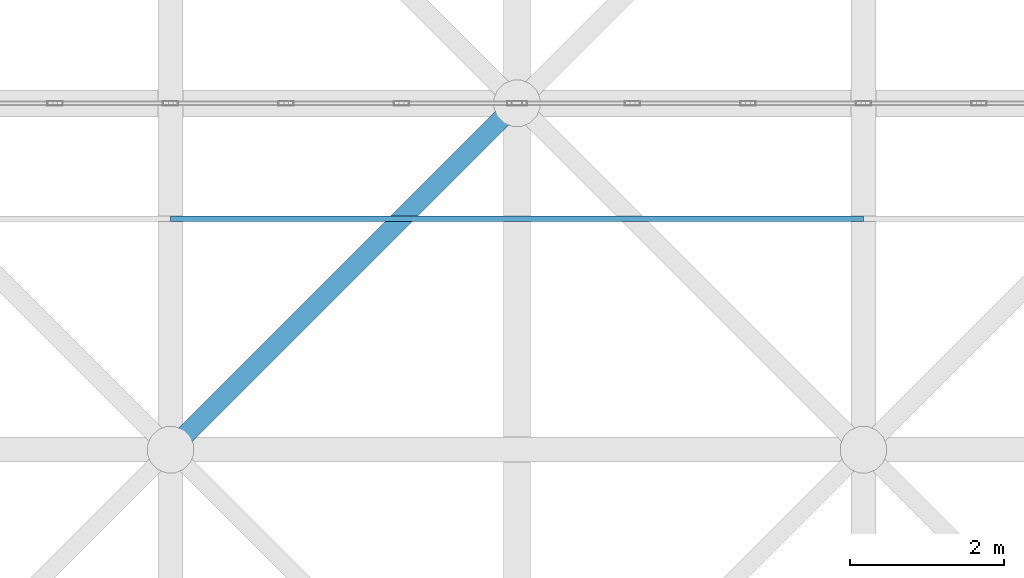
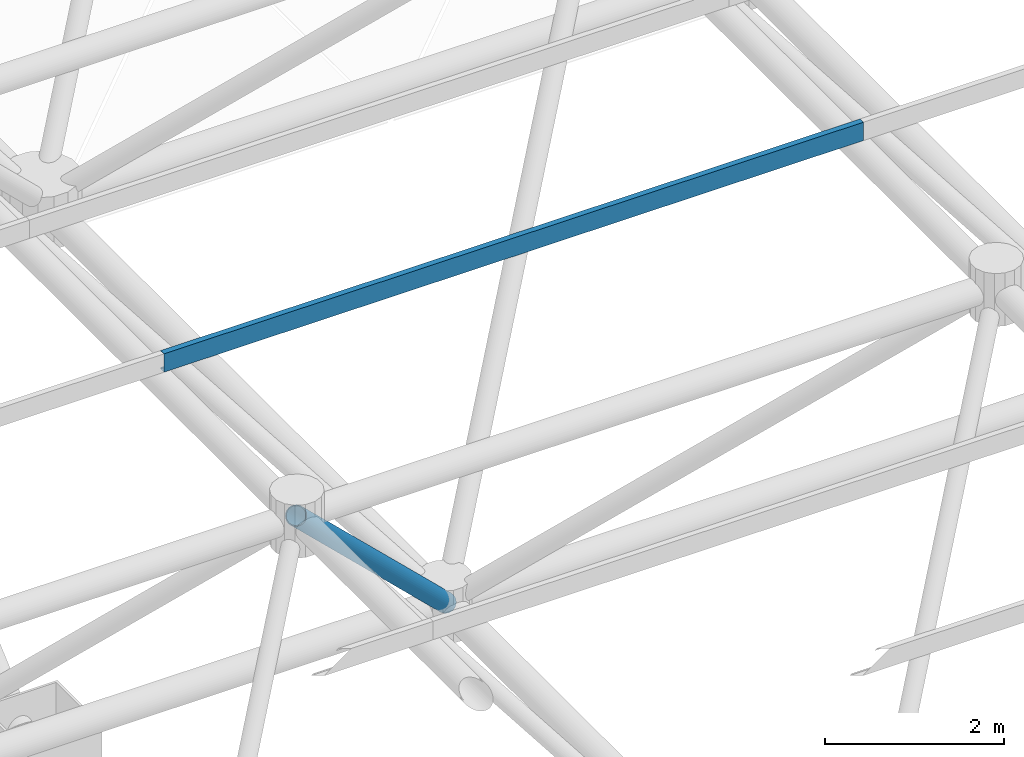
# One storey, part 177 of 437: 2 members.
"""IFC4 building model written with IfcOpenShell, lengths in metres."""

import ifcopenshell
import ifcopenshell.guid

model = None  # the IFC model being written
_history = None  # IfcOwnerHistory: only IFC2X3 demands one
_inside = {}  # id of a spatial element -> (the spatial element, [elements in it])
_under = {}  # id of a project, library or spatial element -> (it, [spatial elements below it])
_declared = {}  # id of a project -> (the project, [libraries it declares])
_typed = {}  # id of a type object -> (the type object, [elements of that type])
_made_of = {}  # id of a material, layer set ... -> (it, [elements and type objects made of it])


def new_model(schema):
    """Start an empty IFC model of exactly this schema.

    Asked for "IFC4X3", IfcOpenShell would pick the latest addendum, in which some entities
    have other attributes; the version numbers below select the first issue.
    IFC2X3 requires an IfcOwnerHistory on every rooted entity: one is made here for all.
    """
    global model, _history
    if schema == "IFC4X3":
        model = ifcopenshell.file(schema_version=(4, 3, 0, 0))
    else:
        model = ifcopenshell.file(schema=schema)
    _inside.clear()
    _under.clear()
    _declared.clear()
    _typed.clear()
    _made_of.clear()
    _history = None
    if model.schema == "IFC2X3":
        org = make("IfcOrganization", Name="unknown")
        user = make(
            "IfcPersonAndOrganization",
            ThePerson=make("IfcPerson", FamilyName="unknown"),
            TheOrganization=org,
        )
        app = make(
            "IfcApplication",
            ApplicationDeveloper=org,
            Version="unknown",
            ApplicationFullName="unknown",
            ApplicationIdentifier="unknown",
        )
        _history = make(
            "IfcOwnerHistory",
            OwningUser=user,
            OwningApplication=app,
            ChangeAction="ADDED",
            CreationDate=0,
        )
    return model


def make(cls, **values):
    """One entity of the class cls with the attributes given. An attribute that is None is left unset."""
    return model.create_entity(
        cls, **{name: value for name, value in values.items() if value is not None}
    )


def rooted(cls, **values):
    """An entity with a GlobalId (a new one), such as an element, a storey or a relation."""
    return make(cls, GlobalId=ifcopenshell.guid.new(), OwnerHistory=_history, **values)


def si_unit(unit_type, name, prefix=None):
    """IfcSIUnit, for example si_unit("LENGTHUNIT", "METRE", prefix="MILLI")."""
    return make("IfcSIUnit", UnitType=unit_type, Prefix=prefix, Name=name)


def assignment(units):
    """IfcUnitAssignment: the units of a project."""
    return None if units is None else make("IfcUnitAssignment", Units=units)


def point(xyz):
    """IfcCartesianPoint."""
    return None if xyz is None else make("IfcCartesianPoint", Coordinates=xyz)


def direction(xyz):
    """IfcDirection."""
    return None if xyz is None else make("IfcDirection", DirectionRatios=xyz)


def frame(location, z_axis=None, x_axis=None):
    """IfcAxis2Placement3D, a coordinate frame: its origin and axes. An axis left out is left unset."""
    return make(
        "IfcAxis2Placement3D",
        Location=point(location),
        Axis=direction(z_axis),
        RefDirection=direction(x_axis),
    )


def frame_2d(location, x_axis=None):
    """IfcAxis2Placement2D, a coordinate frame in the plane: its origin and x axis."""
    return make(
        "IfcAxis2Placement2D", Location=point(location), RefDirection=direction(x_axis)
    )


def origin():
    """The frame at (0, 0, 0) with its axes left unset."""
    return frame((0.0, 0.0, 0.0))


def origin_2d():
    """The frame at (0, 0) in the plane with its x axis left unset."""
    return frame_2d((0.0, 0.0))


def place(relative_to, where):
    """IfcLocalPlacement: puts the frame where relative to a parent placement (None: the world)."""
    return make(
        "IfcLocalPlacement", PlacementRelTo=relative_to, RelativePlacement=where
    )


def context(
    kind, dimensions, precision=None, world=None, true_north=None, identifier=None
):
    """IfcGeometricRepresentationContext, for example the 3D "Model" context."""
    return make(
        "IfcGeometricRepresentationContext",
        ContextIdentifier=identifier,
        ContextType=kind,
        CoordinateSpaceDimension=dimensions,
        Precision=precision,
        WorldCoordinateSystem=world,
        TrueNorth=true_north,
    )


def subcontext(parent, identifier, kind, view, scale=None):
    """IfcGeometricRepresentationSubContext, for example "Body" below "Model"."""
    return make(
        "IfcGeometricRepresentationSubContext",
        ContextIdentifier=identifier,
        ContextType=kind,
        ParentContext=parent,
        TargetScale=scale,
        TargetView=view,
    )


def project(units=None, contexts=None):
    """IfcProject with its units and contexts."""
    return rooted(
        "IfcProject",
        Name="project",
        RepresentationContexts=contexts,
        UnitsInContext=assignment(units),
    )


def spatial(cls, under=None, at=None, **own):
    """A site, building, storey or space (cls), placed at a placement, below another one or the project."""
    s = rooted(cls, ObjectPlacement=at, **own)
    if under is not None:
        _under.setdefault(under.id(), (under, []))[1].append(s)
    return s


def polyline(points):
    """IfcPolyline through the points."""
    return make("IfcPolyline", Points=[point(p) for p in points])


def profile(cls, at=None, kind="AREA", **sizes):
    """A parametric profile (cls). Its sizes go by their IFC names, for example OverallWidth=200.0."""
    return make(cls, ProfileType=kind, Position=at, **sizes)


def hollow_circle(**sizes):
    """IfcCircleHollowProfileDef."""
    return profile("IfcCircleHollowProfileDef", **sizes)


def outline(outer, holes=None, kind="AREA"):
    """IfcArbitraryClosedProfileDef: a profile drawn as a closed curve; with holes, ...WithVoids."""
    if holes is None:
        return make("IfcArbitraryClosedProfileDef", ProfileType=kind, OuterCurve=outer)
    return make(
        "IfcArbitraryProfileDefWithVoids",
        ProfileType=kind,
        OuterCurve=outer,
        InnerCurves=holes,
    )


def extrude(swept, where, along, depth):
    """IfcExtrudedAreaSolid: the profile swept, set in the frame where, extruded along a direction by depth."""
    return make(
        "IfcExtrudedAreaSolid",
        SweptArea=swept,
        Position=where,
        ExtrudedDirection=direction(along),
        Depth=depth,
    )


def shape(context_of_items, identifier, shape_type, items):
    """IfcShapeRepresentation: the items that make up one representation, for example the "Body"."""
    return make(
        "IfcShapeRepresentation",
        ContextOfItems=context_of_items,
        RepresentationIdentifier=identifier,
        RepresentationType=shape_type,
        Items=items,
    )


def material(Name=None, Category=None):
    """IfcMaterial."""
    return make("IfcMaterial", Name=Name, Category=Category)


def material_profile(
    of_material, cross_section, Name=None, Category=None, Priority=None
):
    """IfcMaterialProfile: a cross section and its material."""
    return make(
        "IfcMaterialProfile",
        Name=Name,
        Material=of_material,
        Profile=cross_section,
        Priority=Priority,
        Category=Category,
    )


def profile_set(profiles, Name=None, composite=None):
    """IfcMaterialProfileSet."""
    return make(
        "IfcMaterialProfileSet",
        Name=Name,
        MaterialProfiles=profiles,
        CompositeProfile=composite,
    )


def made_of(thing, what):
    """Note that an element or type object is made of a material, layer set ...; save() writes the relation."""
    if what is not None:
        _made_of.setdefault(what.id(), (what, []))[1].append(thing)
    return thing


def type_object(cls, material=None, **own):
    """A type object (cls), such as IfcWallType, which elements share."""
    return made_of(rooted(cls, **own), material)


def element(
    cls,
    number,
    at=None,
    inside=None,
    cuts=None,
    type_object=None,
    material=None,
    context=None,
    identifier="Body",
    shape_type=None,
    held_by="IfcProductDefinitionShape",
    body=None,
    shapes=None,
    **own,
):
    """One element of the class cls, such as IfcWall. Its Tag is "e" and its number.

    at: its placement. inside: the storey or other place that contains it. cuts: it is an
    opening in that element (IfcRelVoidsElement). A single representation is given by context,
    identifier, shape_type and body (its items); several are given by shapes. held_by: the class
    of the entity that holds the representations. save() writes the other relations.
    """
    e = rooted(cls, Tag="e%d" % number, ObjectPlacement=at, **own)
    if body is not None:
        shapes = [shape(context, identifier, shape_type, body)]
    if shapes is not None:
        e.Representation = make(held_by, Representations=shapes)
    if inside is not None:
        _inside.setdefault(inside.id(), (inside, []))[1].append(e)
    if cuts is not None:
        rooted(
            "IfcRelVoidsElement", RelatingBuildingElement=cuts, RelatedOpeningElement=e
        )
    if type_object is not None:
        _typed.setdefault(type_object.id(), (type_object, []))[1].append(e)
    return made_of(e, material)


def aggregate(whole, parts):
    """IfcRelAggregates: a whole, such as a stair, and the parts it consists of."""
    return rooted("IfcRelAggregates", RelatingObject=whole, RelatedObjects=parts)


def save(model, path):
    """Write the relations noted so far, then the file.

    IfcRelAggregates (storeys below a building ...), IfcRelContainedInSpatialStructure (elements
    in a storey), IfcRelDefinesByType, IfcRelAssociatesMaterial and IfcRelDeclares: one each for
    every whole, place, type object, material and project.
    """
    for whole, parts in _under.values():
        aggregate(whole, parts)
    for where, things in _inside.values():
        rooted(
            "IfcRelContainedInSpatialStructure",
            RelatedElements=things,
            RelatingStructure=where,
        )
    for kind, things in _typed.values():
        rooted("IfcRelDefinesByType", RelatedObjects=things, RelatingType=kind)
    for what, things in _made_of.values():
        rooted("IfcRelAssociatesMaterial", RelatedObjects=things, RelatingMaterial=what)
    for by, libraries in _declared.values():
        rooted("IfcRelDeclares", RelatingContext=by, RelatedDefinitions=libraries)
    model.write(path)


model = new_model("IFC4")

# Units and contexts
model_context = context("Model", 3, precision=1e-05, world=origin(), true_north=direction((0.0, 1.0)))
body_context = subcontext(model_context, "Body", "Model", "MODEL_VIEW")
ifc_project = project(units=[si_unit("LENGTHUNIT", "METRE"), si_unit("AREAUNIT", "SQUARE_METRE"), si_unit("VOLUMEUNIT", "CUBIC_METRE"), si_unit("PLANEANGLEUNIT", "RADIAN"), si_unit("MASSUNIT", "GRAM", prefix="KILO")], contexts=[model_context])

# Site, building, storey
site_placement = place(None, origin())
site = spatial("IfcSite", under=ifc_project, at=site_placement, CompositionType="ELEMENT")
building_placement = place(site_placement, origin())
building = spatial("IfcBuilding", under=site, at=building_placement, Name="Opaline Strait Convention Centre", CompositionType="ELEMENT")
storey_placement = place(building_placement, frame((0.0, 0.0, 11.5)))
storey = spatial("IfcBuildingStorey", under=building, at=storey_placement, Name="L02", CompositionType="ELEMENT", Elevation=11.5)

# Members
ifc_material = material(Name="Steel Q355B", Category="steel")
ifc_material_profile_1 = material_profile(ifc_material, outline(polyline([(-0.03759765625, -0.125), (0.03759765625, -0.125), (0.03759765625, -0.10498046875), (0.034912109375, -0.10498046875), (0.034912109375, -0.12255859375), (-0.034912109375, -0.12255859375), (-0.034912109375, 0.12255859375), (0.034912109375, 0.12255859375), (0.034912109375, 0.10498046875), (0.03759765625, 0.10498046875), (0.03759765625, 0.125), (-0.03759765625, 0.125), (-0.03759765625, -0.125)])), Name="C 250x75x20x2.5")
ifc_profile_set_1 = profile_set([ifc_material_profile_1], Name="Steel Q355B")
member_type_1 = type_object("IfcMemberType", Name="Roof purlin C 250x75x20x2.5", PredefinedType="PURLIN", material=ifc_profile_set_1)
member_1_placement = place(storey_placement, frame((184.5, 142.5, 18.257080078125), z_axis=(1.0, 0.0, 0.0), x_axis=(0.0, 1.0, 0.0)))
element("IfcMember", 1, at=member_1_placement, inside=storey, type_object=member_type_1, Name="EXB-RF-P-11-11-0", PredefinedType="PURLIN", context=body_context, shape_type="SweptSolid", body=[
    extrude(outline(polyline([(-0.03759765625, -0.125), (0.03759765625, -0.125), (0.03759765625, -0.10498046875), (0.034912109375, -0.10498046875), (0.034912109375, -0.12255859375), (-0.034912109375, -0.12255859375), (-0.034912109375, 0.12255859375), (0.034912109375, 0.12255859375), (0.034912109375, 0.10498046875), (0.03759765625, 0.10498046875), (0.03759765625, 0.125), (-0.03759765625, 0.125), (-0.03759765625, -0.125)])), origin(), (0.0, 0.0, 1.0), 9.0),
])
ifc_material_profile_2 = material_profile(ifc_material, hollow_circle(Radius=0.12255859375, WallThickness=0.011962890625, at=origin_2d()), Name="CHS 245x12")
ifc_profile_set_2 = profile_set([ifc_material_profile_2], Name="Steel Q355B")
member_type_2 = type_object("IfcMemberType", Name="Space frame web CHS 245x12", PredefinedType="BRACE", material=ifc_profile_set_2)
member_2_placement = place(storey_placement, frame((184.47314453125, 139.47314453125, 18.004150390625), z_axis=(0.536178220346, 0.536178220346, -0.6519400525), x_axis=(-0.707106781187, 0.707106781187, 0.0)))
element("IfcMember", 2, at=member_2_placement, inside=storey, type_object=member_type_2, Name="EXB-RF-W-11-11-00", PredefinedType="BRACE", context=body_context, shape_type="SweptSolid", body=[
    extrude(hollow_circle(Radius=0.12255859375, WallThickness=0.011962890625, at=origin_2d()), origin(), (0.0, 0.0, 1.0), 8.492919921875),
])

save(model, "model.ifc")
